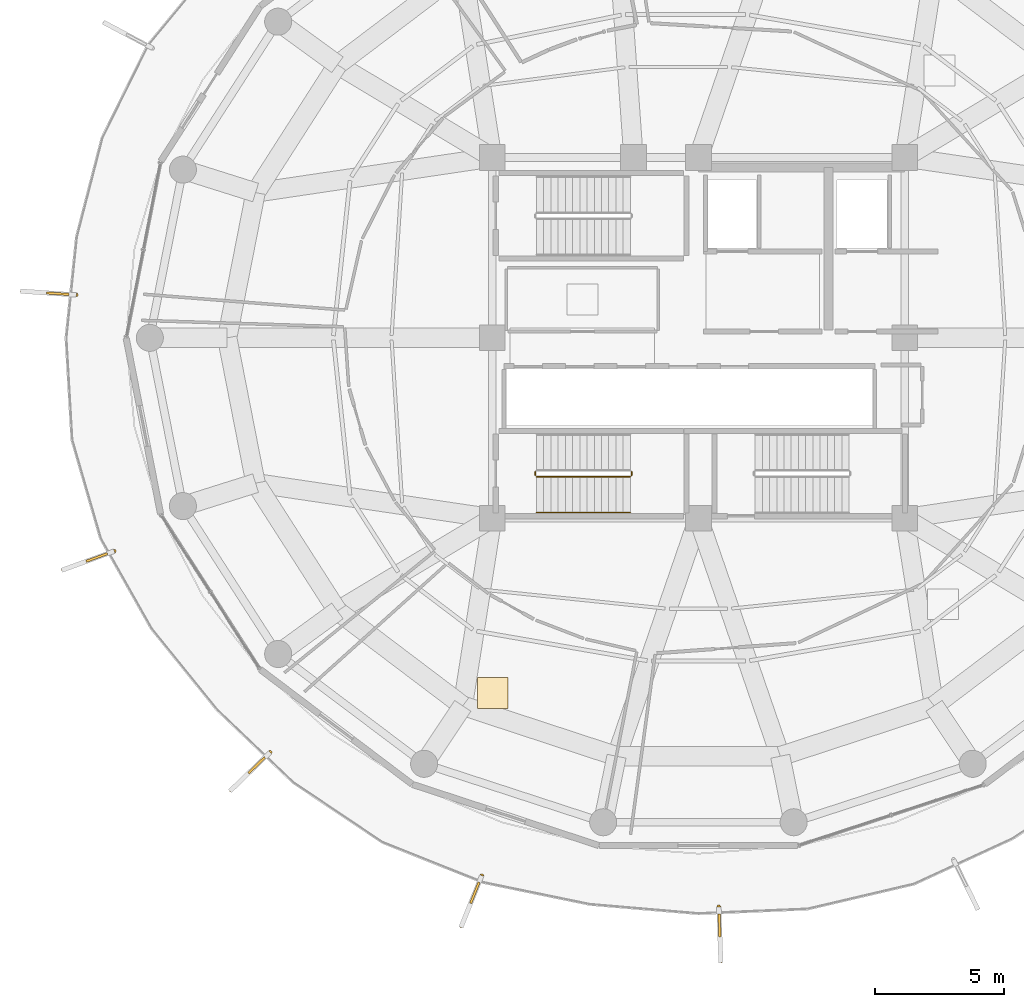
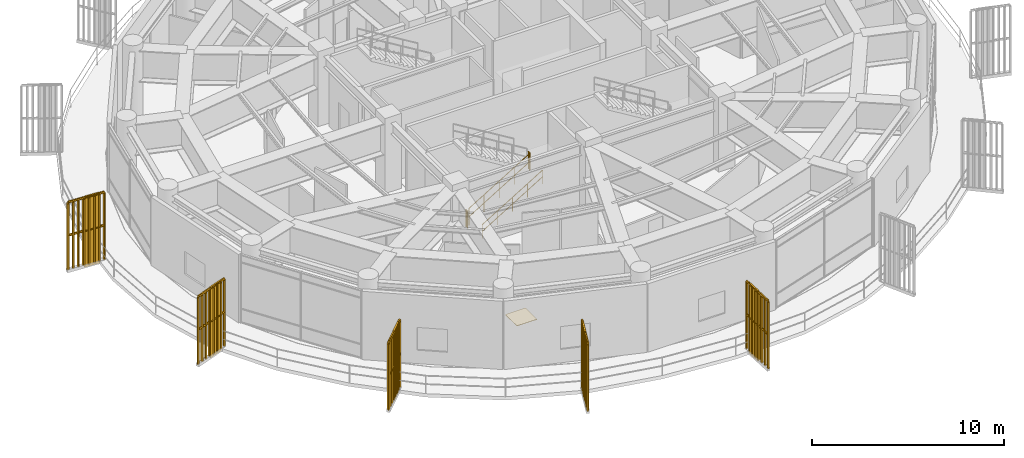
# One storey, part 26 of 29: 9 railings, 5 shading devices, 1 covering.
"""IFC4 building model written with IfcOpenShell, lengths in metres."""

from ifc_helpers import new_model, si_unit, direction, frame, origin, origin_2d, place, context, subcontext, project, spatial, polyline, rectangle, outline, extrude, source, transform, mapped, material, layer, layer_set, type_object, element, save


model = new_model("IFC4")

# Units and contexts
model_context = context("Model", 3, precision=1e-05, world=origin(), true_north=direction((0.0, 1.0)))
body_context = subcontext(model_context, "Body", "Model", "MODEL_VIEW")
ifc_project = project(units=[si_unit("LENGTHUNIT", "METRE"), si_unit("AREAUNIT", "SQUARE_METRE"), si_unit("VOLUMEUNIT", "CUBIC_METRE"), si_unit("PLANEANGLEUNIT", "RADIAN"), si_unit("MASSUNIT", "GRAM", prefix="KILO")], contexts=[model_context])

# Site, building, storey
site_placement = place(None, origin())
site = spatial("IfcSite", under=ifc_project, at=site_placement, CompositionType="ELEMENT")
building_placement = place(site_placement, origin())
building = spatial("IfcBuilding", under=site, at=building_placement, Name="Kelanora Arch Commons", CompositionType="ELEMENT")
storey_placement = place(building_placement, frame((0.0, 0.0, 238.199951171875)))
storey = spatial("IfcBuildingStorey", under=building, at=storey_placement, Name="L61", CompositionType="ELEMENT", Elevation=238.199951171875)

# Railings
ifc_material_1 = material(Name="Anodised bronze vertical shading fin rib assembly")
railing_type_1 = type_object("IfcRailingType", Name="RAIL-FIN-BRZ", PredefinedType="BALUSTRADE", material=ifc_material_1)
railing_1_placement = place(storey_placement, frame((49.86669921875, 59.663818359375, -0.02001953125)))
element("IfcRailing", 1, at=railing_1_placement, inside=storey, type_object=railing_type_1, Name="Sweeping Bronze Vertical Fin Blade L61-09", PredefinedType="BALUSTRADE", context=body_context, shape_type="SweptSolid", body=[
    extrude(outline(polyline([(0.06982421875, 0.0), (0.034912109375, 0.060546875), (-0.034912109375, 0.060546875), (-0.06982421875, 0.0), (-0.034912109375, -0.060546875), (0.034912109375, -0.060546875), (0.06982421875, 0.0)])), frame((0.0, 0.0, 4.2900390625), z_axis=(-0.997630328423, 0.068802091615, 0.0), x_axis=(-0.068802091615, -0.997630328423, 0.0)), (0.0, 0.0, 1.0), 2.107666015625),
    extrude(outline(polyline([(0.06982421875, 0.0), (0.034912109375, 0.060546875), (-0.034912109375, 0.060546875), (-0.06982421875, 0.0), (-0.034912109375, -0.060546875), (0.034912109375, -0.060546875), (0.06982421875, 0.0)])), frame((0.0, 0.0, 2.18017578125), z_axis=(-0.997630328423, 0.068802091615, 0.0), x_axis=(-0.068802091615, -0.997630328423, 0.0)), (0.0, 0.0, 1.0), 2.107666015625),
    extrude(outline(polyline([(0.080078125, 0.0), (0.0400390625, 0.0693359375), (-0.0400390625, 0.0693359375), (-0.080078125, 0.0), (-0.0400390625, -0.0693359375), (0.0400390625, -0.0693359375), (0.080078125, 0.0)])), origin(), (0.0, 0.0, 1.0), 4.22021484375),
    extrude(outline(polyline([(0.080078125, 0.0), (0.0400390625, 0.0693359375), (-0.0400390625, 0.0693359375), (-0.080078125, 0.0), (-0.0400390625, -0.0693359375), (0.0400390625, -0.0693359375), (0.080078125, 0.0)])), frame((-0.30029296875, 0.020751953125, 0.0)), (0.0, 0.0, 1.0), 4.22021484375),
    extrude(outline(polyline([(0.080078125, 0.0), (0.0400390625, 0.0693359375), (-0.0400390625, 0.0693359375), (-0.080078125, 0.0), (-0.0400390625, -0.0693359375), (0.0400390625, -0.0693359375), (0.080078125, 0.0)])), frame((-0.600830078125, 0.04150390625, 0.0)), (0.0, 0.0, 1.0), 4.22021484375),
    extrude(outline(polyline([(0.080078125, 0.0), (0.0400390625, 0.0693359375), (-0.0400390625, 0.0693359375), (-0.080078125, 0.0), (-0.0400390625, -0.0693359375), (0.0400390625, -0.0693359375), (0.080078125, 0.0)])), frame((-0.901123046875, 0.062255859375, 0.0)), (0.0, 0.0, 1.0), 4.22021484375),
    extrude(outline(polyline([(0.080078125, 0.0), (0.0400390625, 0.0693359375), (-0.0400390625, 0.0693359375), (-0.080078125, 0.0), (-0.0400390625, -0.0693359375), (0.0400390625, -0.0693359375), (0.080078125, 0.0)])), frame((-1.20166015625, 0.082763671875, 0.0)), (0.0, 0.0, 1.0), 4.22021484375),
    extrude(outline(polyline([(0.080078125, 0.0), (0.0400390625, 0.0693359375), (-0.0400390625, 0.0693359375), (-0.080078125, 0.0), (-0.0400390625, -0.0693359375), (0.0400390625, -0.0693359375), (0.080078125, 0.0)])), frame((-1.501953125, 0.103515625, 0.0)), (0.0, 0.0, 1.0), 4.22021484375),
    extrude(outline(polyline([(0.080078125, 0.0), (0.0400390625, 0.0693359375), (-0.0400390625, 0.0693359375), (-0.080078125, 0.0), (-0.0400390625, -0.0693359375), (0.0400390625, -0.0693359375), (0.080078125, 0.0)])), frame((-1.802490234375, 0.124267578125, 0.0)), (0.0, 0.0, 1.0), 4.22021484375),
    extrude(outline(polyline([(0.080078125, 0.0), (0.0400390625, 0.0693359375), (-0.0400390625, 0.0693359375), (-0.080078125, 0.0), (-0.0400390625, -0.0693359375), (0.0400390625, -0.0693359375), (0.080078125, 0.0)])), frame((-2.102783203125, 0.14501953125, 0.0)), (0.0, 0.0, 1.0), 4.22021484375),
])
railing_2_placement = place(storey_placement, frame((51.339599609375, 49.727294921875, -0.02001953125)))
element("IfcRailing", 2, at=railing_2_placement, inside=storey, type_object=railing_type_1, Name="Sweeping Bronze Vertical Fin Blade L61-10", PredefinedType="BALUSTRADE", context=body_context, shape_type="SweptSolid", body=[
    extrude(outline(polyline([(0.06982421875, 0.0), (0.034912109375, 0.060546875), (-0.034912109375, 0.060546875), (-0.06982421875, 0.0), (-0.034912109375, -0.060546875), (0.034912109375, -0.060546875), (0.06982421875, 0.0)])), frame((0.0, 0.0, 4.2900390625), z_axis=(-0.939349620161, -0.342961063538, 0.0), x_axis=(0.342961063538, -0.939349620161, 0.0)), (0.0, 0.0, 1.0), 2.10791015625),
    extrude(outline(polyline([(0.06982421875, 0.0), (0.034912109375, 0.060546875), (-0.034912109375, 0.060546875), (-0.06982421875, 0.0), (-0.034912109375, -0.060546875), (0.034912109375, -0.060546875), (0.06982421875, 0.0)])), frame((0.0, 0.0, 2.18017578125), z_axis=(-0.939349620161, -0.342961063538, 0.0), x_axis=(0.342961063538, -0.939349620161, 0.0)), (0.0, 0.0, 1.0), 2.10791015625),
    extrude(outline(polyline([(0.080078125, 0.0), (0.0400390625, 0.0693359375), (-0.0400390625, 0.0693359375), (-0.080078125, 0.0), (-0.0400390625, -0.0693359375), (0.0400390625, -0.0693359375), (0.080078125, 0.0)])), origin(), (0.0, 0.0, 1.0), 4.22021484375),
    extrude(outline(polyline([(0.080078125, 0.0), (0.0400390625, 0.0693359375), (-0.0400390625, 0.0693359375), (-0.080078125, 0.0), (-0.0400390625, -0.0693359375), (0.0400390625, -0.0693359375), (0.080078125, 0.0)])), frame((-0.282958984375, -0.103271484375, 0.0)), (0.0, 0.0, 1.0), 4.22021484375),
    extrude(outline(polyline([(0.080078125, 0.0), (0.0400390625, 0.0693359375), (-0.0400390625, 0.0693359375), (-0.080078125, 0.0), (-0.0400390625, -0.0693359375), (0.0400390625, -0.0693359375), (0.080078125, 0.0)])), frame((-0.565673828125, -0.20654296875, 0.0)), (0.0, 0.0, 1.0), 4.22021484375),
    extrude(outline(polyline([(0.080078125, 0.0), (0.0400390625, 0.0693359375), (-0.0400390625, 0.0693359375), (-0.080078125, 0.0), (-0.0400390625, -0.0693359375), (0.0400390625, -0.0693359375), (0.080078125, 0.0)])), frame((-0.8486328125, -0.309814453125, 0.0)), (0.0, 0.0, 1.0), 4.22021484375),
    extrude(outline(polyline([(0.080078125, 0.0), (0.0400390625, 0.0693359375), (-0.0400390625, 0.0693359375), (-0.080078125, 0.0), (-0.0400390625, -0.0693359375), (0.0400390625, -0.0693359375), (0.080078125, 0.0)])), frame((-1.13134765625, -0.4130859375, 0.0)), (0.0, 0.0, 1.0), 4.22021484375),
    extrude(outline(polyline([(0.080078125, 0.0), (0.0400390625, 0.0693359375), (-0.0400390625, 0.0693359375), (-0.080078125, 0.0), (-0.0400390625, -0.0693359375), (0.0400390625, -0.0693359375), (0.080078125, 0.0)])), frame((-1.414306640625, -0.516357421875, 0.0)), (0.0, 0.0, 1.0), 4.22021484375),
    extrude(outline(polyline([(0.080078125, 0.0), (0.0400390625, 0.0693359375), (-0.0400390625, 0.0693359375), (-0.080078125, 0.0), (-0.0400390625, -0.0693359375), (0.0400390625, -0.0693359375), (0.080078125, 0.0)])), frame((-1.697021484375, -0.61962890625, 0.0)), (0.0, 0.0, 1.0), 4.22021484375),
    extrude(outline(polyline([(0.080078125, 0.0), (0.0400390625, 0.0693359375), (-0.0400390625, 0.0693359375), (-0.080078125, 0.0), (-0.0400390625, -0.0693359375), (0.0400390625, -0.0693359375), (0.080078125, 0.0)])), frame((-1.97998046875, -0.722900390625, 0.0)), (0.0, 0.0, 1.0), 4.22021484375),
])
railing_3_placement = place(storey_placement, frame((57.3828125, 41.921630859375, -0.02001953125)))
element("IfcRailing", 3, at=railing_3_placement, inside=storey, type_object=railing_type_1, Name="Sweeping Bronze Vertical Fin Blade L61-11", PredefinedType="BALUSTRADE", context=body_context, shape_type="SweptSolid", body=[
    extrude(outline(polyline([(0.06982421875, 0.0), (0.034912109375, 0.060546875), (-0.034912109375, 0.060546875), (-0.06982421875, 0.0), (-0.034912109375, -0.060546875), (0.034912109375, -0.060546875), (0.06982421875, 0.0)])), frame((0.0, 0.0, 4.2900390625), z_axis=(-0.718650682756, -0.695371264991, 0.0), x_axis=(0.695371264991, -0.718650682756, 0.0)), (0.0, 0.0, 1.0), 2.10791015625),
    extrude(outline(polyline([(0.06982421875, 0.0), (0.034912109375, 0.060546875), (-0.034912109375, 0.060546875), (-0.06982421875, 0.0), (-0.034912109375, -0.060546875), (0.034912109375, -0.060546875), (0.06982421875, 0.0)])), frame((0.0, 0.0, 2.18017578125), z_axis=(-0.718650682756, -0.695371264991, 0.0), x_axis=(0.695371264991, -0.718650682756, 0.0)), (0.0, 0.0, 1.0), 2.10791015625),
    extrude(outline(polyline([(0.080078125, 0.0), (0.0400390625, 0.0693359375), (-0.0400390625, 0.0693359375), (-0.080078125, 0.0), (-0.0400390625, -0.0693359375), (0.0400390625, -0.0693359375), (0.080078125, 0.0)])), origin(), (0.0, 0.0, 1.0), 4.22021484375),
    extrude(outline(polyline([(0.080078125, 0.0), (0.0400390625, 0.0693359375), (-0.0400390625, 0.0693359375), (-0.080078125, 0.0), (-0.0400390625, -0.0693359375), (0.0400390625, -0.0693359375), (0.080078125, 0.0)])), frame((-0.21630859375, -0.20947265625, 0.0)), (0.0, 0.0, 1.0), 4.22021484375),
    extrude(outline(polyline([(0.080078125, 0.0), (0.0400390625, 0.0693359375), (-0.0400390625, 0.0693359375), (-0.080078125, 0.0), (-0.0400390625, -0.0693359375), (0.0400390625, -0.0693359375), (0.080078125, 0.0)])), frame((-0.432861328125, -0.418701171875, 0.0)), (0.0, 0.0, 1.0), 4.22021484375),
    extrude(outline(polyline([(0.080078125, 0.0), (0.0400390625, 0.0693359375), (-0.0400390625, 0.0693359375), (-0.080078125, 0.0), (-0.0400390625, -0.0693359375), (0.0400390625, -0.0693359375), (0.080078125, 0.0)])), frame((-0.649169921875, -0.628173828125, 0.0)), (0.0, 0.0, 1.0), 4.22021484375),
    extrude(outline(polyline([(0.080078125, 0.0), (0.0400390625, 0.0693359375), (-0.0400390625, 0.0693359375), (-0.080078125, 0.0), (-0.0400390625, -0.0693359375), (0.0400390625, -0.0693359375), (0.080078125, 0.0)])), frame((-0.86572265625, -0.837646484375, 0.0)), (0.0, 0.0, 1.0), 4.22021484375),
    extrude(outline(polyline([(0.080078125, 0.0), (0.0400390625, 0.0693359375), (-0.0400390625, 0.0693359375), (-0.080078125, 0.0), (-0.0400390625, -0.0693359375), (0.0400390625, -0.0693359375), (0.080078125, 0.0)])), frame((-1.08203125, -1.047119140625, 0.0)), (0.0, 0.0, 1.0), 4.22021484375),
    extrude(outline(polyline([(0.080078125, 0.0), (0.0400390625, 0.0693359375), (-0.0400390625, 0.0693359375), (-0.080078125, 0.0), (-0.0400390625, -0.0693359375), (0.0400390625, -0.0693359375), (0.080078125, 0.0)])), frame((-1.298583984375, -1.25634765625, 0.0)), (0.0, 0.0, 1.0), 4.22021484375),
    extrude(outline(polyline([(0.080078125, 0.0), (0.0400390625, 0.0693359375), (-0.0400390625, 0.0693359375), (-0.080078125, 0.0), (-0.0400390625, -0.0693359375), (0.0400390625, -0.0693359375), (0.080078125, 0.0)])), frame((-1.514892578125, -1.4658203125, 0.0)), (0.0, 0.0, 1.0), 4.22021484375),
])
railing_4_placement = place(storey_placement, frame((65.595458984375, 37.13916015625, -0.02001953125)))
element("IfcRailing", 4, at=railing_4_placement, inside=storey, type_object=railing_type_1, Name="Sweeping Bronze Vertical Fin Blade L61-12", PredefinedType="BALUSTRADE", context=body_context, shape_type="SweptSolid", body=[
    extrude(outline(polyline([(0.06982421875, 0.0), (0.034912109375, 0.060546875), (-0.034912109375, 0.060546875), (-0.06982421875, 0.0), (-0.034912109375, -0.060546875), (0.034912109375, -0.060546875), (0.06982421875, 0.0)])), frame((0.0, 0.0, 4.2900390625), z_axis=(-0.373725710693, -0.927539267722, 0.0), x_axis=(0.927539267722, -0.373725710693, 0.0)), (0.0, 0.0, 1.0), 2.108154296875),
    extrude(outline(polyline([(0.06982421875, 0.0), (0.034912109375, 0.060546875), (-0.034912109375, 0.060546875), (-0.06982421875, 0.0), (-0.034912109375, -0.060546875), (0.034912109375, -0.060546875), (0.06982421875, 0.0)])), frame((0.0, 0.0, 2.18017578125), z_axis=(-0.373725710693, -0.927539267722, 0.0), x_axis=(0.927539267722, -0.373725710693, 0.0)), (0.0, 0.0, 1.0), 2.108154296875),
    extrude(outline(polyline([(0.080078125, 0.0), (0.0400390625, 0.0693359375), (-0.0400390625, 0.0693359375), (-0.080078125, 0.0), (-0.0400390625, -0.0693359375), (0.0400390625, -0.0693359375), (0.080078125, 0.0)])), origin(), (0.0, 0.0, 1.0), 4.22021484375),
    extrude(outline(polyline([(0.080078125, 0.0), (0.0400390625, 0.0693359375), (-0.0400390625, 0.0693359375), (-0.080078125, 0.0), (-0.0400390625, -0.0693359375), (0.0400390625, -0.0693359375), (0.080078125, 0.0)])), frame((-0.112548828125, -0.279296875, 0.0)), (0.0, 0.0, 1.0), 4.22021484375),
    extrude(outline(polyline([(0.080078125, 0.0), (0.0400390625, 0.0693359375), (-0.0400390625, 0.0693359375), (-0.080078125, 0.0), (-0.0400390625, -0.0693359375), (0.0400390625, -0.0693359375), (0.080078125, 0.0)])), frame((-0.22509765625, -0.55859375, 0.0)), (0.0, 0.0, 1.0), 4.22021484375),
    extrude(outline(polyline([(0.080078125, 0.0), (0.0400390625, 0.0693359375), (-0.0400390625, 0.0693359375), (-0.080078125, 0.0), (-0.0400390625, -0.0693359375), (0.0400390625, -0.0693359375), (0.080078125, 0.0)])), frame((-0.337646484375, -0.837890625, 0.0)), (0.0, 0.0, 1.0), 4.22021484375),
    extrude(outline(polyline([(0.080078125, 0.0), (0.0400390625, 0.0693359375), (-0.0400390625, 0.0693359375), (-0.080078125, 0.0), (-0.0400390625, -0.0693359375), (0.0400390625, -0.0693359375), (0.080078125, 0.0)])), frame((-0.4501953125, -1.117431640625, 0.0)), (0.0, 0.0, 1.0), 4.22021484375),
    extrude(outline(polyline([(0.080078125, 0.0), (0.0400390625, 0.0693359375), (-0.0400390625, 0.0693359375), (-0.080078125, 0.0), (-0.0400390625, -0.0693359375), (0.0400390625, -0.0693359375), (0.080078125, 0.0)])), frame((-0.562744140625, -1.396728515625, 0.0)), (0.0, 0.0, 1.0), 4.22021484375),
    extrude(outline(polyline([(0.080078125, 0.0), (0.0400390625, 0.0693359375), (-0.0400390625, 0.0693359375), (-0.080078125, 0.0), (-0.0400390625, -0.0693359375), (0.0400390625, -0.0693359375), (0.080078125, 0.0)])), frame((-0.67529296875, -1.676025390625, 0.0)), (0.0, 0.0, 1.0), 4.22021484375),
    extrude(outline(polyline([(0.080078125, 0.0), (0.0400390625, 0.0693359375), (-0.0400390625, 0.0693359375), (-0.080078125, 0.0), (-0.0400390625, -0.0693359375), (0.0400390625, -0.0693359375), (0.080078125, 0.0)])), frame((-0.787841796875, -1.955322265625, 0.0)), (0.0, 0.0, 1.0), 4.22021484375),
])
railing_5_placement = place(storey_placement, frame((74.79248046875, 35.926513671875, -0.02001953125)))
element("IfcRailing", 5, at=railing_5_placement, inside=storey, type_object=railing_type_1, Name="Sweeping Bronze Vertical Fin Blade L61-13", PredefinedType="BALUSTRADE", context=body_context, shape_type="SweptSolid", body=[
    extrude(outline(polyline([(0.06982421875, 0.0), (0.034912109375, 0.060546875), (-0.034912109375, 0.060546875), (-0.06982421875, 0.0), (-0.034912109375, -0.060546875), (0.034912109375, -0.060546875), (0.06982421875, 0.0)])), frame((0.0, 0.0, 4.2900390625), z_axis=(0.035786542134, -0.999359456553, 0.0), x_axis=(0.999359456553, 0.035786542134, 0.0)), (0.0, 0.0, 1.0), 2.108154296875),
    extrude(outline(polyline([(0.06982421875, 0.0), (0.034912109375, 0.060546875), (-0.034912109375, 0.060546875), (-0.06982421875, 0.0), (-0.034912109375, -0.060546875), (0.034912109375, -0.060546875), (0.06982421875, 0.0)])), frame((0.0, 0.0, 2.18017578125), z_axis=(0.035786542134, -0.999359456553, 0.0), x_axis=(0.999359456553, 0.035786542134, 0.0)), (0.0, 0.0, 1.0), 2.108154296875),
    extrude(outline(polyline([(0.080078125, 0.0), (0.0400390625, 0.0693359375), (-0.0400390625, 0.0693359375), (-0.080078125, 0.0), (-0.0400390625, -0.0693359375), (0.0400390625, -0.0693359375), (0.080078125, 0.0)])), origin(), (0.0, 0.0, 1.0), 4.22021484375),
    extrude(outline(polyline([(0.080078125, 0.0), (0.0400390625, 0.0693359375), (-0.0400390625, 0.0693359375), (-0.080078125, 0.0), (-0.0400390625, -0.0693359375), (0.0400390625, -0.0693359375), (0.080078125, 0.0)])), frame((0.0107421875, -0.301025390625, 0.0)), (0.0, 0.0, 1.0), 4.22021484375),
    extrude(outline(polyline([(0.080078125, 0.0), (0.0400390625, 0.0693359375), (-0.0400390625, 0.0693359375), (-0.080078125, 0.0), (-0.0400390625, -0.0693359375), (0.0400390625, -0.0693359375), (0.080078125, 0.0)])), frame((0.021484375, -0.601806640625, 0.0)), (0.0, 0.0, 1.0), 4.22021484375),
    extrude(outline(polyline([(0.080078125, 0.0), (0.0400390625, 0.0693359375), (-0.0400390625, 0.0693359375), (-0.080078125, 0.0), (-0.0400390625, -0.0693359375), (0.0400390625, -0.0693359375), (0.080078125, 0.0)])), frame((0.0322265625, -0.90283203125, 0.0)), (0.0, 0.0, 1.0), 4.22021484375),
    extrude(outline(polyline([(0.080078125, 0.0), (0.0400390625, 0.0693359375), (-0.0400390625, 0.0693359375), (-0.080078125, 0.0), (-0.0400390625, -0.0693359375), (0.0400390625, -0.0693359375), (0.080078125, 0.0)])), frame((0.043212890625, -1.203857421875, 0.0)), (0.0, 0.0, 1.0), 4.22021484375),
    extrude(outline(polyline([(0.080078125, 0.0), (0.0400390625, 0.0693359375), (-0.0400390625, 0.0693359375), (-0.080078125, 0.0), (-0.0400390625, -0.0693359375), (0.0400390625, -0.0693359375), (0.080078125, 0.0)])), frame((0.053955078125, -1.5048828125, 0.0)), (0.0, 0.0, 1.0), 4.22021484375),
    extrude(outline(polyline([(0.080078125, 0.0), (0.0400390625, 0.0693359375), (-0.0400390625, 0.0693359375), (-0.080078125, 0.0), (-0.0400390625, -0.0693359375), (0.0400390625, -0.0693359375), (0.080078125, 0.0)])), frame((0.064697265625, -1.8056640625, 0.0)), (0.0, 0.0, 1.0), 4.22021484375),
    extrude(outline(polyline([(0.080078125, 0.0), (0.0400390625, 0.0693359375), (-0.0400390625, 0.0693359375), (-0.080078125, 0.0), (-0.0400390625, -0.0693359375), (0.0400390625, -0.0693359375), (0.080078125, 0.0)])), frame((0.075439453125, -2.106689453125, 0.0)), (0.0, 0.0, 1.0), 4.22021484375),
])
ifc_material_2 = material(Name="Painted steel stair well guard", Category="steel")
railing_type_2 = type_object("IfcRailingType", Name="RAIL-STAIR-GRD", PredefinedType="GUARDRAIL", material=ifc_material_2)
railing_6_placement = place(storey_placement, frame((67.719970703125, 52.610107421875, 0.170166015625)))
element("IfcRailing", 6, at=railing_6_placement, inside=storey, type_object=railing_type_2, Name="L61 ST-T3 stair guard 1", PredefinedType="GUARDRAIL", context=body_context, shape_type="SweptSolid", body=[
    extrude(outline(polyline([(0.02392578125, 0.0), (0.011962890625, 0.020751953125), (-0.011962890625, 0.020751953125), (-0.02392578125, 0.0), (-0.011962890625, -0.020751953125), (0.011962890625, -0.020751953125), (0.02392578125, 0.0)])), frame((0.0, 0.0, 1.076171875), z_axis=(0.854800231366, 0.0, 0.518957189425), x_axis=(0.0, 1.0, 0.0)), (0.0, 0.0, 1.0), 4.258544921875),
    extrude(outline(polyline([(0.02392578125, 0.0), (0.011962890625, 0.020751953125), (-0.011962890625, 0.020751953125), (-0.02392578125, 0.0), (-0.011962890625, -0.020751953125), (0.011962890625, -0.020751953125), (0.02392578125, 0.0)])), frame((0.0, 0.0, 0.550048828125), z_axis=(0.854800231366, 0.0, 0.518957189425), x_axis=(0.0, 1.0, 0.0)), (0.0, 0.0, 1.0), 4.258544921875),
    extrude(outline(polyline([(0.02099609375, 0.0), (0.010498046875, 0.01806640625), (-0.010498046875, 0.01806640625), (-0.02099609375, 0.0), (-0.010498046875, -0.01806640625), (0.010498046875, -0.01806640625), (0.02099609375, 0.0)])), origin(), (0.0, 0.0, 1.0), 1.052001953125),
    extrude(outline(polyline([(0.02099609375, 0.0), (0.010498046875, 0.01806640625), (-0.010498046875, 0.01806640625), (-0.02099609375, 0.0), (-0.010498046875, -0.01806640625), (0.010498046875, -0.01806640625), (0.02099609375, 0.0)])), frame((0.91015625, 0.0, 0.552490234375)), (0.0, 0.0, 1.0), 1.052001953125),
    extrude(outline(polyline([(0.02099609375, 0.0), (0.010498046875, 0.01806640625), (-0.010498046875, 0.01806640625), (-0.02099609375, 0.0), (-0.010498046875, -0.01806640625), (0.010498046875, -0.01806640625), (0.02099609375, 0.0)])), frame((1.820068359375, 0.0, 1.10498046875)), (0.0, 0.0, 1.0), 1.052001953125),
    extrude(outline(polyline([(0.02099609375, 0.0), (0.010498046875, 0.01806640625), (-0.010498046875, 0.01806640625), (-0.02099609375, 0.0), (-0.010498046875, -0.01806640625), (0.010498046875, -0.01806640625), (0.02099609375, 0.0)])), frame((2.72998046875, 0.0, 1.657470703125)), (0.0, 0.0, 1.0), 1.052001953125),
    extrude(outline(polyline([(0.02099609375, 0.0), (0.010498046875, 0.01806640625), (-0.010498046875, 0.01806640625), (-0.02099609375, 0.0), (-0.010498046875, -0.01806640625), (0.010498046875, -0.01806640625), (0.02099609375, 0.0)])), frame((3.64013671875, 0.0, 2.2099609375)), (0.0, 0.0, 1.0), 1.052001953125),
])
for number, where, name in (
    (7, (71.409912109375, 52.659912109375, 2.380126953125), "L61 ST-T3 stair guard 2"),
    (8, (67.669921875, 52.659912109375, 0.0), "L61 ST-T3 stair guard 4"),
):
    element("IfcRailing", number, at=place(storey_placement, frame(where)), inside=storey, type_object=railing_type_2, Name=name, PredefinedType="GUARDRAIL", context=body_context, shape_type="SweptSolid", body=[
        extrude(outline(polyline([(0.02392578125, 0.0), (0.011962890625, 0.020751953125), (-0.011962890625, 0.020751953125), (-0.02392578125, 0.0), (-0.011962890625, -0.020751953125), (0.011962890625, -0.020751953125), (0.02392578125, 0.0)])), frame((0.0, 0.0, 1.076171875), z_axis=(0.0, 1.0, 0.0), x_axis=(-1.0, 0.0, 0.0)), (0.0, 0.0, 1.0), 0.150146484375),
        extrude(outline(polyline([(0.02392578125, 0.0), (0.011962890625, 0.020751953125), (-0.011962890625, 0.020751953125), (-0.02392578125, 0.0), (-0.011962890625, -0.020751953125), (0.011962890625, -0.020751953125), (0.02392578125, 0.0)])), frame((0.0, 0.0, 0.550048828125), z_axis=(0.0, 1.0, 0.0), x_axis=(-1.0, 0.0, 0.0)), (0.0, 0.0, 1.0), 0.150146484375),
        extrude(outline(polyline([(0.02099609375, 0.0), (0.010498046875, 0.01806640625), (-0.010498046875, 0.01806640625), (-0.02099609375, 0.0), (-0.010498046875, -0.01806640625), (0.010498046875, -0.01806640625), (0.02099609375, 0.0)])), origin(), (0.0, 0.0, 1.0), 1.052001953125),
        extrude(outline(polyline([(0.02099609375, 0.0), (0.010498046875, 0.01806640625), (-0.010498046875, 0.01806640625), (-0.02099609375, 0.0), (-0.010498046875, -0.01806640625), (0.010498046875, -0.01806640625), (0.02099609375, 0.0)])), frame((0.0, 0.150146484375, 0.0)), (0.0, 0.0, 1.0), 1.052001953125),
    ])
ifc_material_3 = material(Name="Brushed stainless steel stair handrail", Category="steel")
railing_type_3 = type_object("IfcRailingType", Name="RAIL-STAIR-HND", PredefinedType="HANDRAIL", material=ifc_material_3)
railing_7_placement = place(storey_placement, frame((67.719970703125, 51.22998046875, 0.170166015625)))
element("IfcRailing", 9, at=railing_7_placement, inside=storey, type_object=railing_type_3, Name="L61 ST-T3 stair handrail 1", PredefinedType="HANDRAIL", context=body_context, shape_type="SweptSolid", body=[
    extrude(outline(polyline([(0.02392578125, 0.0), (0.011962890625, 0.020751953125), (-0.011962890625, 0.020751953125), (-0.02392578125, 0.0), (-0.011962890625, -0.020751953125), (0.011962890625, -0.020751953125), (0.02392578125, 0.0)])), frame((0.0, 0.0, 0.8759765625), z_axis=(0.854800231366, 0.0, 0.518957189425), x_axis=(0.0, 1.0, 0.0)), (0.0, 0.0, 1.0), 4.258544921875),
    extrude(outline(polyline([(0.02392578125, 0.0), (0.011962890625, 0.020751953125), (-0.011962890625, 0.020751953125), (-0.02392578125, 0.0), (-0.011962890625, -0.020751953125), (0.011962890625, -0.020751953125), (0.02392578125, 0.0)])), frame((0.0, 0.0, 0.449951171875), z_axis=(0.854800231366, 0.0, 0.518957189425), x_axis=(0.0, 1.0, 0.0)), (0.0, 0.0, 1.0), 4.258544921875),
    extrude(outline(polyline([(0.02099609375, 0.0), (0.010498046875, 0.01806640625), (-0.010498046875, 0.01806640625), (-0.02099609375, 0.0), (-0.010498046875, -0.01806640625), (0.010498046875, -0.01806640625), (0.02099609375, 0.0)])), origin(), (0.0, 0.0, 1.0), 0.851806640625),
    extrude(outline(polyline([(0.02099609375, 0.0), (0.010498046875, 0.01806640625), (-0.010498046875, 0.01806640625), (-0.02099609375, 0.0), (-0.010498046875, -0.01806640625), (0.010498046875, -0.01806640625), (0.02099609375, 0.0)])), frame((0.91015625, 0.0, 0.552490234375)), (0.0, 0.0, 1.0), 0.851806640625),
    extrude(outline(polyline([(0.02099609375, 0.0), (0.010498046875, 0.01806640625), (-0.010498046875, 0.01806640625), (-0.02099609375, 0.0), (-0.010498046875, -0.01806640625), (0.010498046875, -0.01806640625), (0.02099609375, 0.0)])), frame((1.820068359375, 0.0, 1.10498046875)), (0.0, 0.0, 1.0), 0.851806640625),
    extrude(outline(polyline([(0.02099609375, 0.0), (0.010498046875, 0.01806640625), (-0.010498046875, 0.01806640625), (-0.02099609375, 0.0), (-0.010498046875, -0.01806640625), (0.010498046875, -0.01806640625), (0.02099609375, 0.0)])), frame((2.72998046875, 0.0, 1.657470703125)), (0.0, 0.0, 1.0), 0.851806640625),
    extrude(outline(polyline([(0.02099609375, 0.0), (0.010498046875, 0.01806640625), (-0.010498046875, 0.01806640625), (-0.02099609375, 0.0), (-0.010498046875, -0.01806640625), (0.010498046875, -0.01806640625), (0.02099609375, 0.0)])), frame((3.64013671875, 0.0, 2.2099609375)), (0.0, 0.0, 1.0), 0.851806640625),
])

# Shading devices
ifc_material_4 = material(Name="Terracotta ceramic-clad extruded aluminium fin", Category="masonry")
shading_device_type = type_object("IfcShadingDeviceType", Name="SHD-FIN-FLARE", PredefinedType="USERDEFINED", material=ifc_material_4)
shared_shape_1 = source(origin(), body_context, "Body", "SweptSolid", [
    extrude(rectangle(XDim=0.8798828125, YDim=0.090087890625, at=origin_2d()), origin(), (0.0, 0.0, 1.0), 4.47998046875),
])
for number, where, z_axis, x_axis, name in (
    (10, (49.1484375, 59.71337890625, -0.139892578125), (0.0, 0.0, 1.0), (-0.997636552079, 0.068711789056, 0.0), "Sweeping Terracotta Fin L61-09"),
    (11, (50.663330078125, 49.480224609375, -0.139892578125), (0.0, 0.0, 1.0), (-0.939333942951, -0.343003999424, 0.0), "Sweeping Terracotta Fin L61-10"),
    (12, (56.865478515625, 41.4208984375, -0.139892578125), (0.0, 0.0, 1.0), (-0.718611961505, -0.69541128031, 0.0), "Sweeping Terracotta Fin L61-11"),
    (13, (65.326416015625, 36.47119140625, -0.139892578125), (0.0, 0.0, 1.0), (-0.37363544353, -0.927575633217, 0.0), "Sweeping Terracotta Fin L61-12"),
    (14, (74.818359375, 35.20703125, -0.139892578125), (0.0, 0.0, 1.0), (0.035946037002, -0.999353732381, 0.0), "Sweeping Terracotta Fin L61-13"),
):
    element("IfcShadingDevice", number, at=place(storey_placement, frame(where, z_axis=z_axis, x_axis=x_axis)), inside=storey, type_object=shading_device_type, Name=name, ObjectType="FIN", PredefinedType="USERDEFINED", context=body_context, shape_type="MappedRepresentation", body=[
        mapped(shared_shape_1, transform((0.0, 0.0, 0.0), scale=1.0)),
    ])

# Covering
ifc_material_5 = material(Name="Polished local granite terrazzo flooring", Category="masonry")
ifc_layer = layer(ifc_material_5, 0.030029296875)
ifc_layer_set = layer_set([ifc_layer], Name="Polished local granite terrazzo flooring")
covering_type = type_object("IfcCoveringType", Name="COV-FLR-TER", PredefinedType="FLOORING", material=ifc_layer_set)
shared_shape_2 = source(origin(), body_context, "Body", "SweptSolid", [
    extrude(rectangle(XDim=1.199951171875, YDim=1.199951171875, at=origin_2d()), origin(), (0.0, 0.0, 1.0), 0.030029296875),
])
covering_placement = place(storey_placement, frame((66.02099609375, 44.23193359375, 0.0), z_axis=(0.0, 0.0, 1.0), x_axis=(1.0, 0.0, 0.0)))
element("IfcCovering", 15, at=covering_placement, inside=storey, type_object=covering_type, Name="Silent Horizon Research Library L61 Terrazzo Finish", PredefinedType="FLOORING", context=body_context, shape_type="MappedRepresentation", body=[
    mapped(shared_shape_2, transform((0.0, 0.0, 0.0), scale=1.0)),
])

save(model, "model.ifc")
